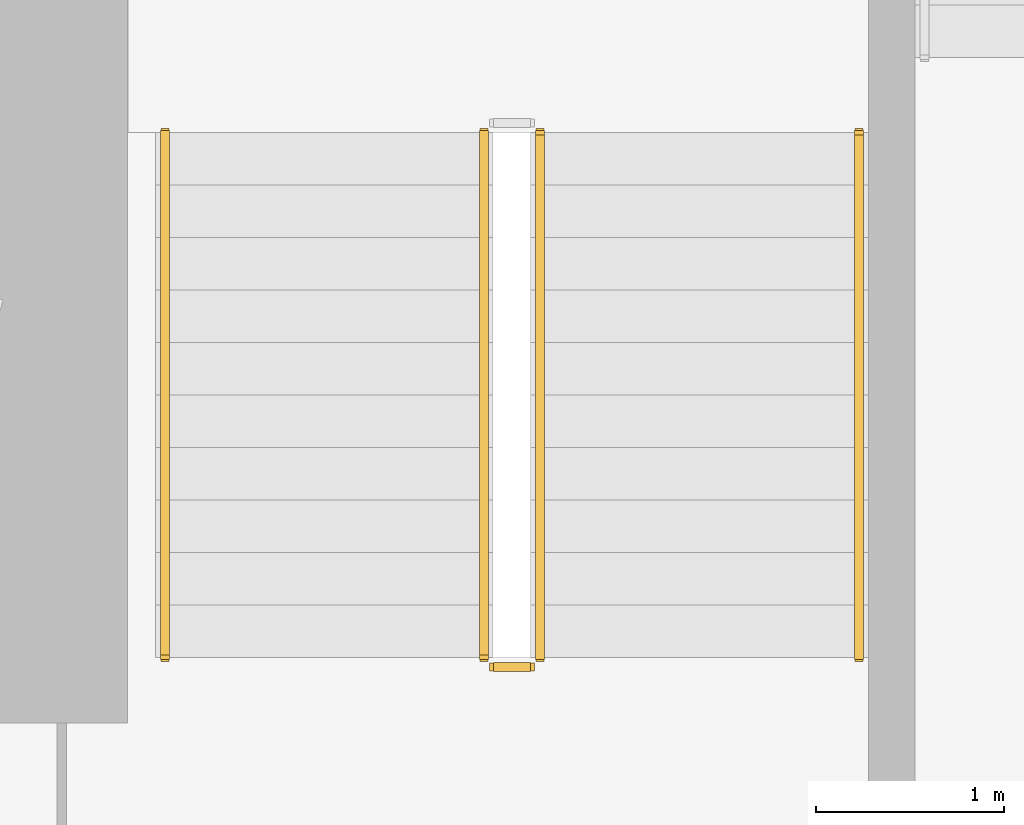
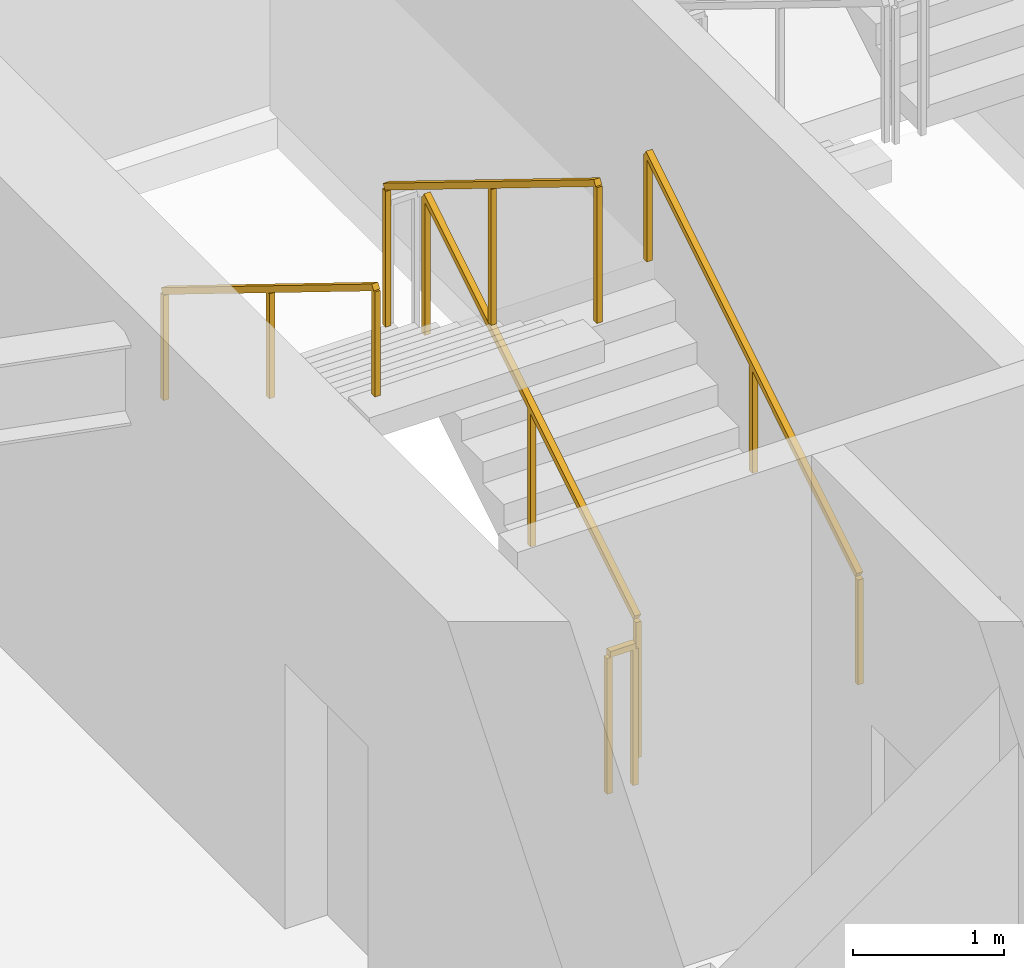
# One storey, part 23 of 26: 5 railings.
"""IFC4 building model written with IfcOpenShell, lengths in metres."""

from ifc_helpers import new_model, si_unit, direction, frame, origin, origin_2d, place, context, subcontext, project, spatial, rectangle, extrude, material, type_object, element, save


model = new_model("IFC4")

# Units and contexts
model_context = context("Model", 3, precision=1e-05, world=origin(), true_north=direction((0.0, 1.0)))
body_context = subcontext(model_context, "Body", "Model", "MODEL_VIEW")
ifc_project = project(units=[si_unit("LENGTHUNIT", "METRE"), si_unit("AREAUNIT", "SQUARE_METRE"), si_unit("VOLUMEUNIT", "CUBIC_METRE"), si_unit("PLANEANGLEUNIT", "RADIAN"), si_unit("MASSUNIT", "GRAM", prefix="KILO")], contexts=[model_context])

# Site, building, storey
site_placement = place(None, origin())
site = spatial("IfcSite", under=ifc_project, at=site_placement, CompositionType="ELEMENT")
building_placement = place(site_placement, origin())
building = spatial("IfcBuilding", under=site, at=building_placement, Name="Zuhravey Tower", CompositionType="ELEMENT")
storey_placement = place(building_placement, frame((0.0, 0.0, 211.199951171875)))
storey = spatial("IfcBuildingStorey", under=building, at=storey_placement, Name="L53", CompositionType="ELEMENT", Elevation=211.199951171875)

# Railings
ifc_material_1 = material(Name="Brushed stainless steel", Category="steel")
railing_type_1 = type_object("IfcRailingType", Name="Stair Wall Handrail 900", PredefinedType="HANDRAIL", material=ifc_material_1)
railing_1_placement = place(storey_placement, frame((29.75, 33.199951171875, 0.1728515625)))
element("IfcRailing", 1, at=railing_1_placement, inside=storey, type_object=railing_type_1, Name="L53 ST1 stair handrail 1", PredefinedType="HANDRAIL", context=body_context, shape_type="SweptSolid", body=[
    extrude(rectangle(XDim=0.048095703125, YDim=0.048095703125, at=origin_2d()), frame((0.0, 0.001708984375, 0.876953125), z_axis=(0.0, 0.851089632645, 0.525020415988), x_axis=(-1.0, 0.0, 0.0)), (0.0, 0.0, 1.0), 3.285888671875),
    extrude(rectangle(XDim=0.0419921875, YDim=0.0419921875, at=origin_2d()), origin(), (0.0, 0.0, 1.0), 0.849853515625),
    extrude(rectangle(XDim=0.0419921875, YDim=0.0419921875, at=origin_2d()), frame((0.0, 1.39990234375, 0.86376953125)), (0.0, 0.0, 1.0), 0.849853515625),
    extrude(rectangle(XDim=0.0419921875, YDim=0.0419921875, at=origin_2d()), frame((0.0, 2.800048828125, 1.727294921875)), (0.0, 0.0, 1.0), 0.849853515625),
])
railing_2_placement = place(storey_placement, frame((26.050048828125, 36.0, 2.07275390625)))
element("IfcRailing", 2, at=railing_2_placement, inside=storey, type_object=railing_type_1, Name="L53 ST1 stair handrail 2", PredefinedType="HANDRAIL", context=body_context, shape_type="SweptSolid", body=[
    extrude(rectangle(XDim=0.048095703125, YDim=0.048095703125, at=origin_2d()), frame((0.0, -0.001708984375, 0.876953125), z_axis=(0.0, -0.851089632645, 0.525020415988), x_axis=(1.0, 0.0, 0.0)), (0.0, 0.0, 1.0), 3.285888671875),
    extrude(rectangle(XDim=0.0419921875, YDim=0.0419921875, at=origin_2d()), origin(), (0.0, 0.0, 1.0), 0.849853515625),
    extrude(rectangle(XDim=0.0419921875, YDim=0.0419921875, at=origin_2d()), frame((0.0, -1.39990234375, 0.86376953125)), (0.0, 0.0, 1.0), 0.849853515625),
    extrude(rectangle(XDim=0.0419921875, YDim=0.0419921875, at=origin_2d()), frame((0.0, -2.800048828125, 1.727294921875)), (0.0, 0.0, 1.0), 0.849853515625),
])
ifc_material_2 = material(Name="Painted tubular steel", Category="steel")
railing_type_2 = type_object("IfcRailingType", Name="Stair Well Guardrail 1150", PredefinedType="GUARDRAIL", material=ifc_material_2)
railing_3_placement = place(storey_placement, frame((28.050048828125, 33.199951171875, 0.1728515625)))
element("IfcRailing", 3, at=railing_3_placement, inside=storey, type_object=railing_type_2, Name="L53 ST1 stair guard 1", PredefinedType="GUARDRAIL", context=body_context, shape_type="SweptSolid", body=[
    extrude(rectangle(XDim=0.048095703125, YDim=0.048095703125, at=origin_2d()), frame((0.0, 0.001708984375, 1.126953125), z_axis=(0.0, 0.851089632645, 0.525020415988), x_axis=(-1.0, 0.0, 0.0)), (0.0, 0.0, 1.0), 3.285888671875),
    extrude(rectangle(XDim=0.0419921875, YDim=0.0419921875, at=origin_2d()), origin(), (0.0, 0.0, 1.0), 1.099853515625),
    extrude(rectangle(XDim=0.0419921875, YDim=0.0419921875, at=origin_2d()), frame((0.0, 1.39990234375, 0.86376953125)), (0.0, 0.0, 1.0), 1.099853515625),
    extrude(rectangle(XDim=0.0419921875, YDim=0.0419921875, at=origin_2d()), frame((0.0, 2.800048828125, 1.727294921875)), (0.0, 0.0, 1.0), 1.099853515625),
])
railing_4_placement = place(storey_placement, frame((27.75, 36.0, 2.07275390625)))
element("IfcRailing", 4, at=railing_4_placement, inside=storey, type_object=railing_type_2, Name="L53 ST1 stair guard 3", PredefinedType="GUARDRAIL", context=body_context, shape_type="SweptSolid", body=[
    extrude(rectangle(XDim=0.048095703125, YDim=0.048095703125, at=origin_2d()), frame((0.0, -0.001708984375, 1.126953125), z_axis=(0.0, -0.851089632645, 0.525020415988), x_axis=(1.0, 0.0, 0.0)), (0.0, 0.0, 1.0), 3.285888671875),
    extrude(rectangle(XDim=0.0419921875, YDim=0.0419921875, at=origin_2d()), origin(), (0.0, 0.0, 1.0), 1.099853515625),
    extrude(rectangle(XDim=0.0419921875, YDim=0.0419921875, at=origin_2d()), frame((0.0, -1.39990234375, 0.86376953125)), (0.0, 0.0, 1.0), 1.099853515625),
    extrude(rectangle(XDim=0.0419921875, YDim=0.0419921875, at=origin_2d()), frame((0.0, -2.800048828125, 1.727294921875)), (0.0, 0.0, 1.0), 1.099853515625),
])
railing_5_placement = place(storey_placement, frame((28.0, 33.14990234375, 0.0)))
element("IfcRailing", 5, at=railing_5_placement, inside=storey, type_object=railing_type_2, Name="L53 ST1 stair guard 4", PredefinedType="GUARDRAIL", context=body_context, shape_type="SweptSolid", body=[
    extrude(rectangle(XDim=0.048095703125, YDim=0.048095703125, at=origin_2d()), frame((-0.001953125, 0.0, 1.1259765625), z_axis=(-1.0, 0.0, 0.0), x_axis=(0.0, -1.0, 0.0)), (0.0, 0.0, 1.0), 0.196044921875),
    extrude(rectangle(XDim=0.0419921875, YDim=0.0419921875, at=origin_2d()), origin(), (0.0, 0.0, 1.0), 1.099853515625),
    extrude(rectangle(XDim=0.0419921875, YDim=0.0419921875, at=origin_2d()), frame((-0.199951171875, 0.0, 0.0)), (0.0, 0.0, 1.0), 1.099853515625),
])

save(model, "model.ifc")
